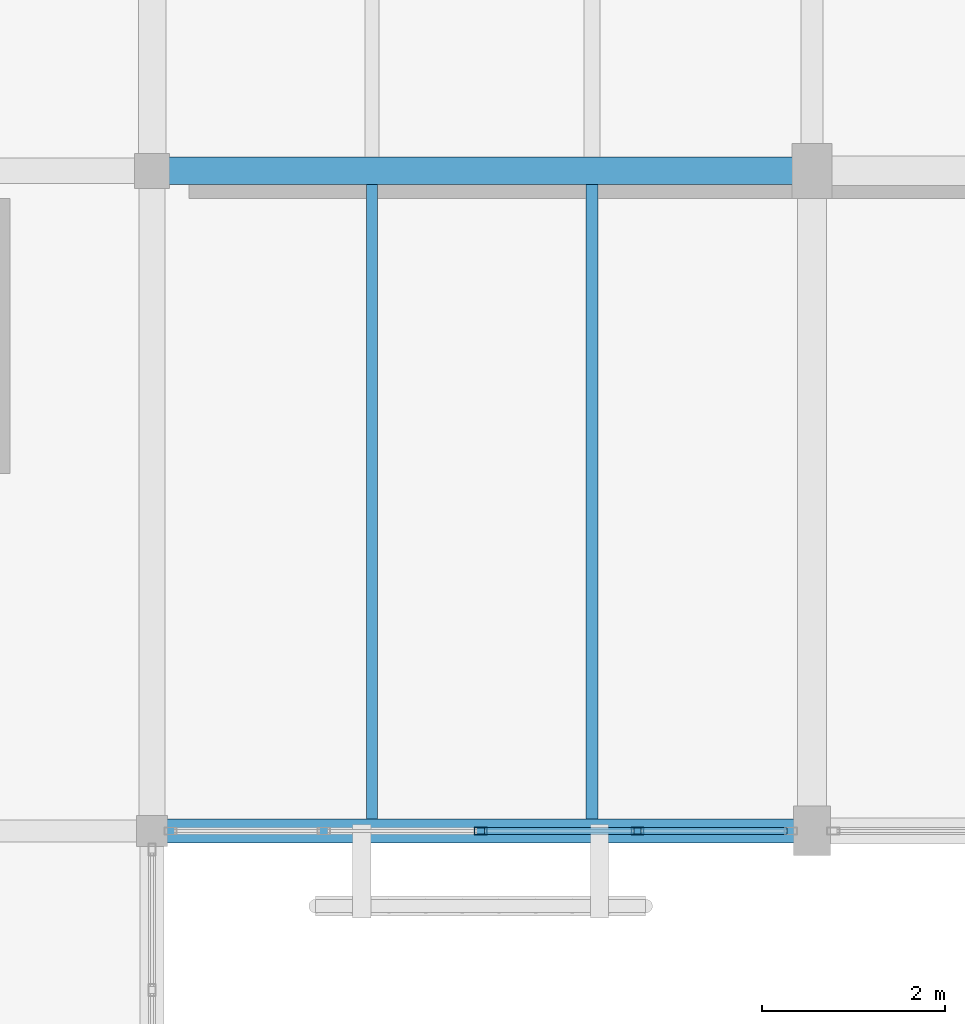
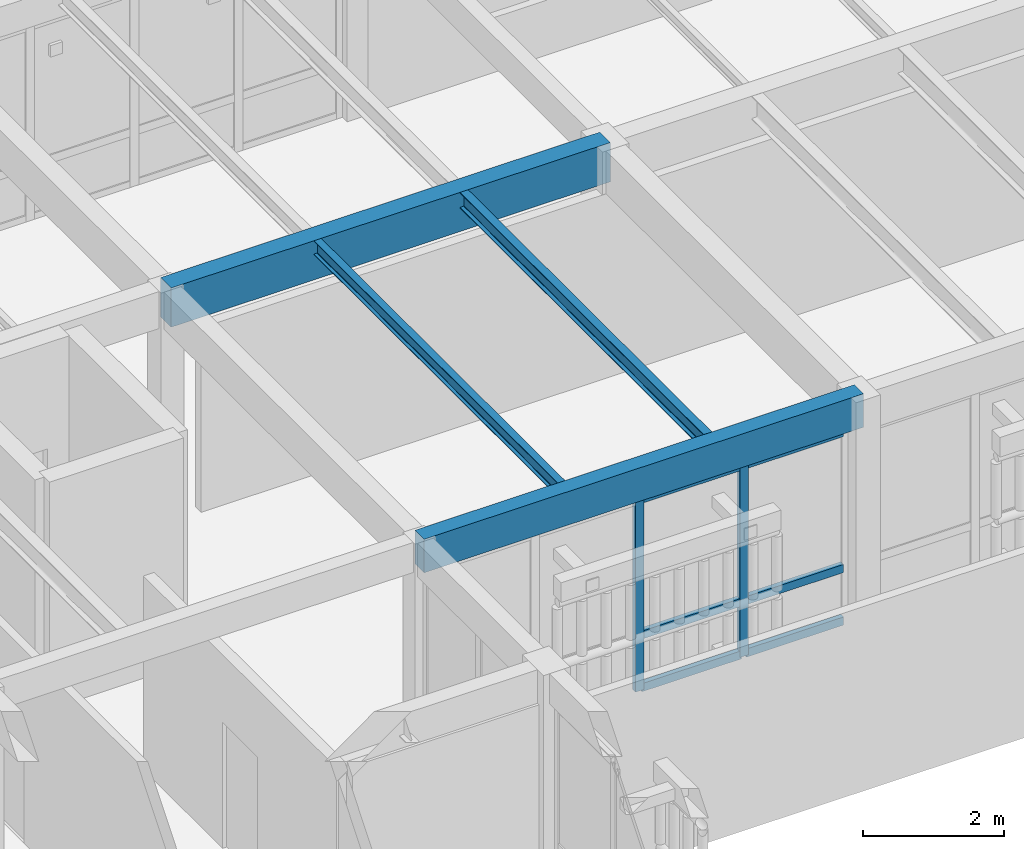
# One storey, part 63 of 112: 8 members, 4 beams, 1 element without a shape of its own.
"""IFC4 building model written with IfcOpenShell, lengths in metres."""

from ifc_helpers import new_model, si_unit, direction, frame, origin, origin_2d, place, context, subcontext, project, spatial, rectangle, hollow_rectangle, i_section, extrude, material, layer, layer_set, material_profile, profile_set, type_object, element, aggregate, save


model = new_model("IFC4")

# Units and contexts
model_context = context("Model", 3, precision=1e-05, world=origin(), true_north=direction((0.0, 1.0)))
body_context = subcontext(model_context, "Body", "Model", "MODEL_VIEW")
ifc_project = project(units=[si_unit("LENGTHUNIT", "METRE"), si_unit("AREAUNIT", "SQUARE_METRE"), si_unit("VOLUMEUNIT", "CUBIC_METRE"), si_unit("PLANEANGLEUNIT", "RADIAN"), si_unit("MASSUNIT", "GRAM", prefix="KILO")], contexts=[model_context])

# Site, building, storey
site_placement = place(None, origin())
site = spatial("IfcSite", under=ifc_project, at=site_placement, CompositionType="ELEMENT")
building_placement = place(site_placement, origin())
building = spatial("IfcBuilding", under=site, at=building_placement, Name="Mazaris Harbour Polytechnic", CompositionType="ELEMENT")
storey_placement = place(building_placement, frame((0.0, 0.0, 13.800048828125)))
storey = spatial("IfcBuildingStorey", under=building, at=storey_placement, Name="L03", CompositionType="ELEMENT", Elevation=13.800048828125)

# Curtain wall, members
ifc_material_1 = material(Name="Anodised Bronze Aluminium and Low-E Glass", Category="aluminium")
ifc_layer = layer(ifc_material_1, 0.169921875, Name="Anodised Bronze Aluminium and Low-E Glass")
ifc_layer_set = layer_set([ifc_layer], Name="Anodised Bronze Aluminium and Low-E Glass")
curtain_wall_type = type_object("IfcCurtainWallType", Name="Studio North-Light Curtain Wall", PredefinedType="NOTDEFINED", material=ifc_layer_set)
curtain_wall_placement = place(storey_placement, origin())
curtain_wall = element("IfcCurtainWall", 1, at=curtain_wall_placement, inside=storey, type_object=curtain_wall_type, Name="V5 L03 Curtain Wall 260", PredefinedType="NOTDEFINED")
ifc_material_2 = material(Name="Anodised Bronze Steel S355", Category="steel")
ifc_material_profile_1 = material_profile(ifc_material_2, hollow_rectangle(XDim=0.080078125, YDim=0.139892578125, WallThickness=0.00634765625, at=origin_2d()), Name="RHS 80x140x6.3")
ifc_profile_set_1 = profile_set([ifc_material_profile_1], Name="Anodised Bronze Steel S355")
member_type_1 = type_object("IfcMemberType", Name="Curtain Mullion RHS80x140", PredefinedType="MULLION", material=ifc_profile_set_1)
member_1_placement = place(storey_placement, frame((142.096435546875, 86.39990234375, 0.0), z_axis=(0.0, 0.0, 1.0), x_axis=(0.0, -1.0, 0.0)))
member_1 = element("IfcMember", 2, at=member_1_placement, type_object=member_type_1, Name="CW-03 mullion 2", PredefinedType="MULLION", context=body_context, shape_type="SweptSolid", body=[
    extrude(hollow_rectangle(XDim=0.080078125, YDim=0.139892578125, WallThickness=0.00634765625, at=origin_2d()), origin(), (0.0, 0.0, 1.0), 3.344970703125),
])
member_2_placement = place(storey_placement, frame((140.385009765625, 86.39990234375, 0.0), z_axis=(0.0, 0.0, 1.0), x_axis=(0.0, -1.0, 0.0)))
member_2 = element("IfcMember", 3, at=member_2_placement, type_object=member_type_1, Name="CW-03 mullion 3", PredefinedType="MULLION", context=body_context, shape_type="SweptSolid", body=[
    extrude(hollow_rectangle(XDim=0.080078125, YDim=0.139892578125, WallThickness=0.00634765625, at=origin_2d()), origin(), (0.0, 0.0, 1.0), 3.344970703125),
])
ifc_material_3 = material(Name="Anodised Bronze Steel S355", Category="steel")
ifc_material_profile_2 = material_profile(ifc_material_3, hollow_rectangle(XDim=0.080078125, YDim=0.139892578125, WallThickness=0.00634765625, at=origin_2d()), Name="RHS 80x140x6.3")
ifc_profile_set_2 = profile_set([ifc_material_profile_2], Name="Anodised Bronze Steel S355")
member_type_2 = type_object("IfcMemberType", Name="Curtain Transom RHS80x140", PredefinedType="USERDEFINED", material=ifc_profile_set_2)
member_3_placement = place(storey_placement, frame((143.72802734375, 86.39990234375, 0.0400390625), z_axis=(-1.0, 0.0, 0.0), x_axis=(0.0, -1.0, 0.0)))
member_3 = element("IfcMember", 4, at=member_3_placement, type_object=member_type_2, Name="CW-03 transom 1.1", ObjectType="TRANSOM", PredefinedType="USERDEFINED", context=body_context, shape_type="SweptSolid", body=[
    extrude(hollow_rectangle(XDim=0.080078125, YDim=0.139892578125, WallThickness=0.00634765625, at=origin_2d()), origin(), (0.0, 0.0, 1.0), 1.591552734375),
])
member_4_placement = place(storey_placement, frame((143.72802734375, 86.39990234375, 0.949951171875), z_axis=(-1.0, 0.0, 0.0), x_axis=(0.0, -1.0, 0.0)))
member_4 = element("IfcMember", 5, at=member_4_placement, type_object=member_type_2, Name="CW-03 transom 1.2", ObjectType="TRANSOM", PredefinedType="USERDEFINED", context=body_context, shape_type="SweptSolid", body=[
    extrude(hollow_rectangle(XDim=0.080078125, YDim=0.139892578125, WallThickness=0.00634765625, at=origin_2d()), origin(), (0.0, 0.0, 1.0), 1.591552734375),
])
member_5_placement = place(storey_placement, frame((143.72802734375, 86.39990234375, 3.304931640625), z_axis=(-1.0, 0.0, 0.0), x_axis=(0.0, -1.0, 0.0)))
member_5 = element("IfcMember", 6, at=member_5_placement, type_object=member_type_2, Name="CW-03 transom 1.3", ObjectType="TRANSOM", PredefinedType="USERDEFINED", context=body_context, shape_type="SweptSolid", body=[
    extrude(hollow_rectangle(XDim=0.080078125, YDim=0.139892578125, WallThickness=0.00634765625, at=origin_2d()), origin(), (0.0, 0.0, 1.0), 1.591552734375),
])
member_6_placement = place(storey_placement, frame((142.056396484375, 86.39990234375, 0.0400390625), z_axis=(-1.0, 0.0, 0.0), x_axis=(0.0, -1.0, 0.0)))
member_6 = element("IfcMember", 7, at=member_6_placement, type_object=member_type_2, Name="CW-03 transom 2.1", ObjectType="TRANSOM", PredefinedType="USERDEFINED", context=body_context, shape_type="SweptSolid", body=[
    extrude(hollow_rectangle(XDim=0.080078125, YDim=0.139892578125, WallThickness=0.00634765625, at=origin_2d()), origin(), (0.0, 0.0, 1.0), 1.63134765625),
])
member_7_placement = place(storey_placement, frame((142.056396484375, 86.39990234375, 0.949951171875), z_axis=(-1.0, 0.0, 0.0), x_axis=(0.0, -1.0, 0.0)))
member_7 = element("IfcMember", 8, at=member_7_placement, type_object=member_type_2, Name="CW-03 transom 2.2", ObjectType="TRANSOM", PredefinedType="USERDEFINED", context=body_context, shape_type="SweptSolid", body=[
    extrude(hollow_rectangle(XDim=0.080078125, YDim=0.139892578125, WallThickness=0.00634765625, at=origin_2d()), origin(), (0.0, 0.0, 1.0), 1.63134765625),
])
member_8_placement = place(storey_placement, frame((142.056396484375, 86.39990234375, 3.304931640625), z_axis=(-1.0, 0.0, 0.0), x_axis=(0.0, -1.0, 0.0)))
member_8 = element("IfcMember", 9, at=member_8_placement, type_object=member_type_2, Name="CW-03 transom 2.3", ObjectType="TRANSOM", PredefinedType="USERDEFINED", context=body_context, shape_type="SweptSolid", body=[
    extrude(hollow_rectangle(XDim=0.080078125, YDim=0.139892578125, WallThickness=0.00634765625, at=origin_2d()), origin(), (0.0, 0.0, 1.0), 1.63134765625),
])
aggregate(curtain_wall, [member_1, member_2, member_3, member_4, member_5, member_6, member_7, member_8])

# Beams
ifc_material_4 = material(Name="Glulam GL32h", Category="wood")
ifc_material_profile_3 = material_profile(ifc_material_4, rectangle(XDim=0.260009765625, YDim=0.580078125, at=origin_2d()), Name="RECT260x580")
ifc_profile_set_3 = profile_set([ifc_material_profile_3], Name="Glulam GL32h")
beam_type_1 = type_object("IfcBeamType", Name="Glulam Girder 260x580", PredefinedType="BEAM", material=ifc_profile_set_3)
beam_1_placement = place(storey_placement, frame((136.800048828125, 86.39990234375, 3.64501953125), z_axis=(1.0, 0.0, 0.0), x_axis=(0.0, 1.0, 0.0)))
element("IfcBeam", 10, at=beam_1_placement, inside=storey, type_object=beam_type_1, Name="V5 L03 Girder 3311", PredefinedType="BEAM", context=body_context, shape_type="SweptSolid", body=[
    extrude(rectangle(XDim=0.260009765625, YDim=0.580078125, at=origin_2d()), origin(), (0.0, 0.0, 1.0), 7.199951171875),
])
ifc_material_5 = material(Name="Glulam GL32h", Category="wood")
ifc_material_profile_4 = material_profile(ifc_material_5, rectangle(XDim=0.300048828125, YDim=0.679931640625, at=origin_2d()), Name="RECT300x680")
ifc_profile_set_4 = profile_set([ifc_material_profile_4], Name="Glulam GL32h")
beam_type_2 = type_object("IfcBeamType", Name="Glulam Girder 300x680", PredefinedType="BEAM", material=ifc_profile_set_4)
beam_2_placement = place(storey_placement, frame((136.800048828125, 93.60009765625, 3.594970703125), z_axis=(1.0, 0.0, 0.0), x_axis=(0.0, 1.0, 0.0)))
element("IfcBeam", 11, at=beam_2_placement, inside=storey, type_object=beam_type_2, Name="V5 L03 Girder 3318", PredefinedType="BEAM", context=body_context, shape_type="SweptSolid", body=[
    extrude(rectangle(XDim=0.300048828125, YDim=0.679931640625, at=origin_2d()), origin(), (0.0, 0.0, 1.0), 7.199951171875),
])
ifc_material_6 = material(Name="Steel S355", Category="steel")
ifc_material_profile_5 = material_profile(ifc_material_6, i_section(OverallWidth=0.1201171875, OverallDepth=0.239990234375, WebThickness=0.006103515625, FlangeThickness=0.009765625, FilletRadius=0.014892578125, at=origin_2d()), Name="IPE 240")
ifc_profile_set_5 = profile_set([ifc_material_profile_5], Name="Steel S355")
beam_type_3 = type_object("IfcBeamType", Name="Steel Joist IPE240", PredefinedType="JOIST", material=ifc_profile_set_5)
beam_3_placement = place(storey_placement, frame((139.199951171875, 86.530029296875, 3.81494140625), z_axis=(0.0, 1.0, 0.0), x_axis=(-1.0, 0.0, 0.0)))
element("IfcBeam", 12, at=beam_3_placement, inside=storey, type_object=beam_type_3, Name="V5 L03 Floor Joist 3375", PredefinedType="JOIST", context=body_context, shape_type="SweptSolid", body=[
    extrude(i_section(OverallWidth=0.1201171875, OverallDepth=0.239990234375, WebThickness=0.006103515625, FlangeThickness=0.009765625, FilletRadius=0.014892578125, at=origin_2d()), origin(), (0.0, 0.0, 1.0), 6.919921875),
])
ifc_material_7 = material(Name="Steel S355", Category="steel")
ifc_material_profile_6 = material_profile(ifc_material_7, i_section(OverallWidth=0.135009765625, OverallDepth=0.27001953125, WebThickness=0.006591796875, FlangeThickness=0.01025390625, FilletRadius=0.014892578125, at=origin_2d()), Name="IPE 270")
ifc_profile_set_6 = profile_set([ifc_material_profile_6], Name="Steel S355")
beam_type_4 = type_object("IfcBeamType", Name="Steel Joist IPE270", PredefinedType="JOIST", material=ifc_profile_set_6)
beam_4_placement = place(storey_placement, frame((141.60009765625, 86.530029296875, 3.800048828125), z_axis=(0.0, 1.0, 0.0), x_axis=(-1.0, 0.0, 0.0)))
element("IfcBeam", 13, at=beam_4_placement, inside=storey, type_object=beam_type_4, Name="V5 L03 Floor Joist 3376", PredefinedType="JOIST", context=body_context, shape_type="SweptSolid", body=[
    extrude(i_section(OverallWidth=0.135009765625, OverallDepth=0.27001953125, WebThickness=0.006591796875, FlangeThickness=0.01025390625, FilletRadius=0.014892578125, at=origin_2d()), origin(), (0.0, 0.0, 1.0), 6.919921875),
])

save(model, "model.ifc")
